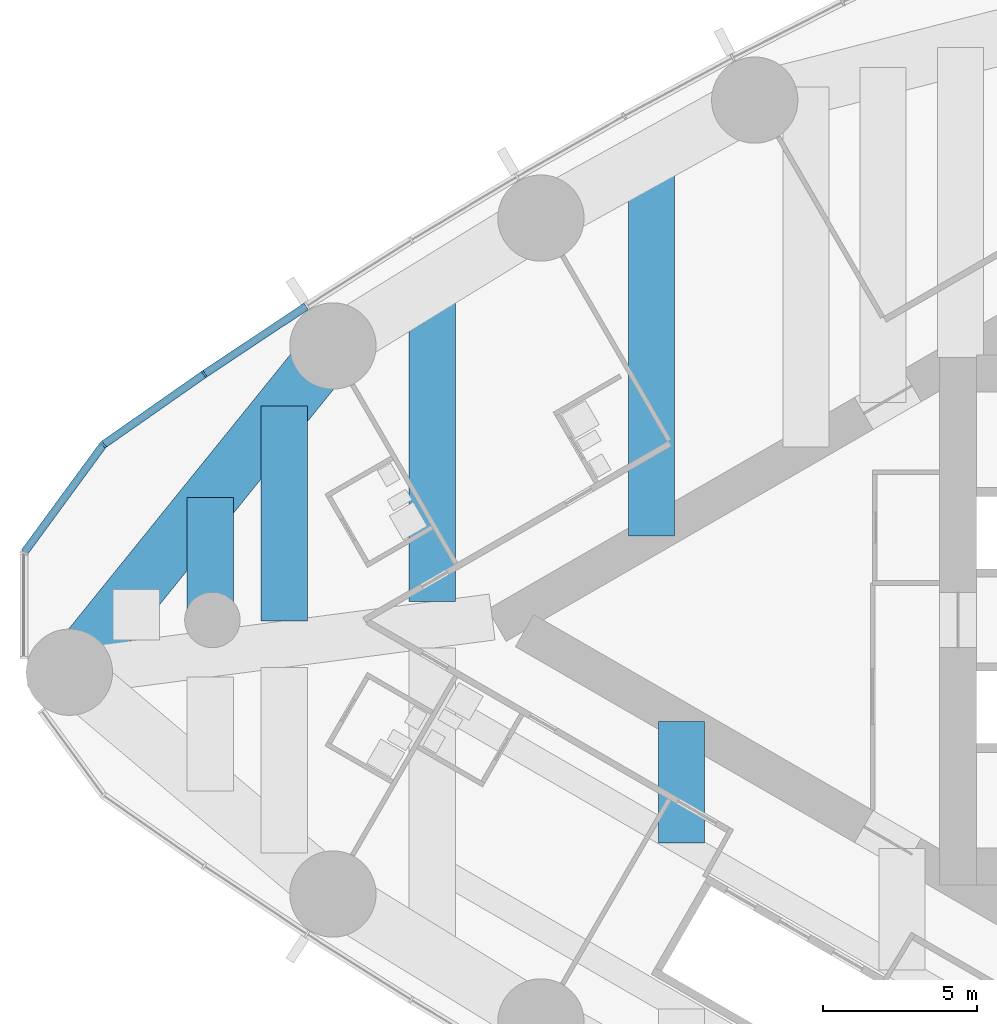
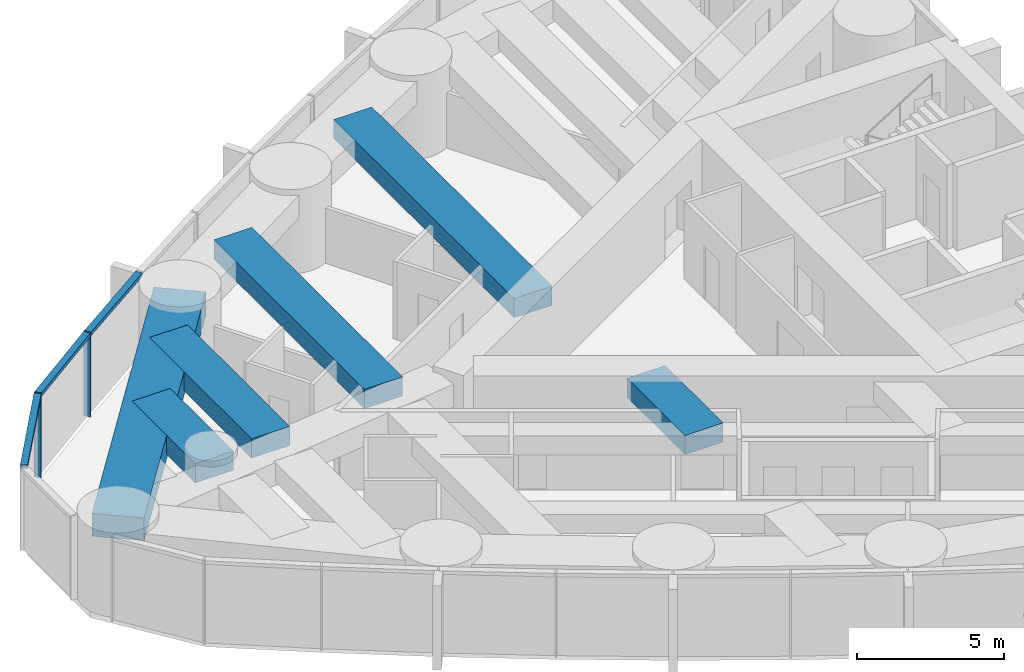
# One storey, part 3 of 19: 6 beams, 5 members, 1 element without a shape of its own.
"""IFC4 building model written with IfcOpenShell, lengths in metres."""

from ifc_helpers import new_model, si_unit, direction, frame, origin, origin_2d, place, context, subcontext, project, spatial, rectangle, extrude, material, material_profile, profile_set, type_object, element, aggregate, save


model = new_model("IFC4")

# Units and contexts
model_context = context("Model", 3, precision=1e-05, world=origin(), true_north=direction((0.0, 1.0)))
body_context = subcontext(model_context, "Body", "Model", "MODEL_VIEW")
ifc_project = project(units=[si_unit("LENGTHUNIT", "METRE"), si_unit("AREAUNIT", "SQUARE_METRE"), si_unit("VOLUMEUNIT", "CUBIC_METRE"), si_unit("PLANEANGLEUNIT", "RADIAN"), si_unit("MASSUNIT", "GRAM", prefix="KILO")], contexts=[model_context])

# Site, building, storey
site_placement = place(None, origin())
site = spatial("IfcSite", under=ifc_project, at=site_placement, CompositionType="ELEMENT")
building_placement = place(site_placement, origin())
building = spatial("IfcBuilding", under=site, at=building_placement, Name="Lancet Gate Hotel", CompositionType="ELEMENT")
storey_placement = place(building_placement, frame((0.0, 0.0, 184.300048828125)))
storey = spatial("IfcBuildingStorey", under=building, at=storey_placement, Name="L49", CompositionType="ELEMENT", Elevation=184.300048828125)

# Curtain wall, members
ifc_material_1 = material(Name="Aluminium curtain wall", Category="aluminium")
curtain_wall_type = type_object("IfcCurtainWallType", Name="Tower unitised curtain wall", PredefinedType="USERDEFINED", material=ifc_material_1)
curtain_wall_placement = place(storey_placement, origin())
curtain_wall = element("IfcCurtainWall", 1, at=curtain_wall_placement, inside=storey, type_object=curtain_wall_type, Name="T1 L49 curtain wall 2", ObjectType="UNITISED CURTAIN WALL", PredefinedType="USERDEFINED")
ifc_material_2 = material(Name="Aluminium mullion", Category="aluminium")
ifc_material_profile_1 = material_profile(ifc_material_2, rectangle(XDim=0.06494140625, YDim=0.25, at=origin_2d()), Name="MULLION 65x250")
ifc_profile_set_1 = profile_set([ifc_material_profile_1], Name="Aluminium mullion")
member_type_1 = type_object("IfcMemberType", Name="Aluminium mullion 65x250", PredefinedType="MULLION", material=ifc_profile_set_1)
member_1_placement = place(storey_placement, frame((-61.7626953125, 7.980712890625, 0.0), z_axis=(0.0, 0.0, 1.0), x_axis=(-0.826312172542, -0.563212387568, 0.0)))
member_1 = element("IfcMember", 2, at=member_1_placement, type_object=member_type_1, Name="T1 L49 curtain wall 2 mullion 10", PredefinedType="MULLION", context=body_context, shape_type="SweptSolid", body=[
    extrude(rectangle(XDim=0.06494140625, YDim=0.25, at=origin_2d()), origin(), (0.0, 0.0, 1.0), 3.5),
])
member_2_placement = place(storey_placement, frame((-65.040283203125, 5.68994140625, 0.0), z_axis=(0.0, 0.0, 1.0), x_axis=(-0.710112861968, -0.704087866155, 0.0)))
member_2 = element("IfcMember", 3, at=member_2_placement, type_object=member_type_1, Name="T1 L49 curtain wall 2 mullion 11", PredefinedType="MULLION", context=body_context, shape_type="SweptSolid", body=[
    extrude(rectangle(XDim=0.06494140625, YDim=0.25, at=origin_2d()), origin(), (0.0, 0.0, 1.0), 3.5),
])
ifc_material_3 = material(Name="Aluminium transom", Category="aluminium")
ifc_material_profile_2 = material_profile(ifc_material_3, rectangle(XDim=0.25, YDim=0.14990234375, at=origin_2d()), Name="TRANSOM 250x150")
ifc_profile_set_2 = profile_set([ifc_material_profile_2], Name="Aluminium transom")
member_type_2 = type_object("IfcMemberType", Name="Aluminium transom 250x150", PredefinedType="USERDEFINED", material=ifc_profile_set_2)
member_3_placement = place(storey_placement, frame((-58.459228515625, 10.176025390625, 3.425048828125), z_axis=(-0.832870509189, -0.553467898729, 0.0), x_axis=(0.553467898729, -0.832870509189, 0.0)))
member_3 = element("IfcMember", 4, at=member_3_placement, type_object=member_type_2, Name="T1 L49 curtain wall 2 transom 9", ObjectType="TRANSOM", PredefinedType="USERDEFINED", context=body_context, shape_type="SweptSolid", body=[
    extrude(rectangle(XDim=0.25, YDim=0.14990234375, at=origin_2d()), origin(), (0.0, 0.0, 1.0), 3.933837890625),
])
member_4_placement = place(storey_placement, frame((-61.789306640625, 7.962158203125, 3.425048828125), z_axis=(-0.819636985462, -0.572883244704, 0.0), x_axis=(0.572883244704, -0.819636985462, 0.0)))
member_4 = element("IfcMember", 5, at=member_4_placement, type_object=member_type_2, Name="T1 L49 curtain wall 2 transom 10", ObjectType="TRANSOM", PredefinedType="USERDEFINED", context=body_context, shape_type="SweptSolid", body=[
    extrude(rectangle(XDim=0.25, YDim=0.14990234375, at=origin_2d()), origin(), (0.0, 0.0, 1.0), 3.933837890625),
])
member_5_placement = place(storey_placement, frame((-65.0595703125, 5.66357421875, 3.425048828125), z_axis=(-0.591324189618, -0.806433941977, 0.0), x_axis=(0.806433941977, -0.591324189618, 0.0)))
member_5 = element("IfcMember", 6, at=member_5_placement, type_object=member_type_2, Name="T1 L49 curtain wall 2 transom 11", ObjectType="TRANSOM", PredefinedType="USERDEFINED", context=body_context, shape_type="SweptSolid", body=[
    extrude(rectangle(XDim=0.25, YDim=0.14990234375, at=origin_2d()), origin(), (0.0, 0.0, 1.0), 4.2900390625),
])
aggregate(curtain_wall, [member_1, member_2, member_3, member_4, member_5])

# Beams
ifc_material_4 = material(Name="Concrete C50/60", Category="concrete")
ifc_material_profile_3 = material_profile(ifc_material_4, rectangle(XDim=1.800048828125, YDim=0.949951171875, at=origin_2d()), Name="RC 1800x950")
ifc_profile_set_3 = profile_set([ifc_material_profile_3], Name="Concrete C50/60")
beam_type_1 = type_object("IfcBeamType", Name="Edge beam RC 1800x950", PredefinedType="SPANDREL", material=ifc_profile_set_3)
beam_1_placement = place(storey_placement, frame((-57.589599609375, 8.89306640625, 2.77490234375), z_axis=(-0.628373846765, -0.777911504416, 0.0), x_axis=(0.777911504416, -0.628373846765, 0.0)))
element("IfcBeam", 7, at=beam_1_placement, inside=storey, type_object=beam_type_1, Name="T1 edge beam EB1 L49", PredefinedType="SPANDREL", context=body_context, shape_type="SweptSolid", body=[
    extrude(rectangle(XDim=1.800048828125, YDim=0.949951171875, at=origin_2d()), origin(), (0.0, 0.0, 1.0), 13.611328125),
])
ifc_material_5 = material(Name="Concrete C50/60", Category="concrete")
ifc_material_profile_4 = material_profile(ifc_material_5, rectangle(XDim=1.5, YDim=0.800048828125, at=origin_2d()), Name="RC 1500x800")
ifc_profile_set_4 = profile_set([ifc_material_profile_4], Name="Concrete C50/60")
beam_type_2 = type_object("IfcBeamType", Name="Floor beam RC 1500x800", PredefinedType="BEAM", material=ifc_profile_set_4)
beam_2_placement = place(storey_placement, frame((-47.254638671875, 15.020751953125, 2.849853515625), z_axis=(0.0, -1.0, 0.0), x_axis=(1.0, 0.0, 0.0)))
element("IfcBeam", 8, at=beam_2_placement, inside=storey, type_object=beam_type_2, Name="T1 floor beam F09S L49", PredefinedType="BEAM", context=body_context, shape_type="SweptSolid", body=[
    extrude(rectangle(XDim=1.5, YDim=0.800048828125, at=origin_2d()), origin(), (0.0, 0.0, 1.0), 12.29931640625),
])
beam_3_placement = place(storey_placement, frame((-54.3681640625, 10.87353515625, 2.849853515625), z_axis=(0.0, -1.0, 0.0), x_axis=(1.0, 0.0, 0.0)))
element("IfcBeam", 9, at=beam_3_placement, inside=storey, type_object=beam_type_2, Name="T1 floor beam F10S L49", PredefinedType="BEAM", context=body_context, shape_type="SweptSolid", body=[
    extrude(rectangle(XDim=1.5, YDim=0.800048828125, at=origin_2d()), origin(), (0.0, 0.0, 1.0), 10.27392578125),
])
beam_4_placement = place(storey_placement, frame((-59.168212890625, 6.938720703125, 2.849853515625), z_axis=(0.0, -1.0, 0.0), x_axis=(1.0, 0.0, 0.0)))
element("IfcBeam", 10, at=beam_4_placement, inside=storey, type_object=beam_type_2, Name="T1 floor beam F12S L49", PredefinedType="BEAM", context=body_context, shape_type="SweptSolid", body=[
    extrude(rectangle(XDim=1.5, YDim=0.800048828125, at=origin_2d()), origin(), (0.0, 0.0, 1.0), 6.96630859375),
])
beam_5_placement = place(storey_placement, frame((-61.568359375, 3.967529296875, 2.849853515625), z_axis=(0.0, -1.0, 0.0), x_axis=(1.0, 0.0, 0.0)))
element("IfcBeam", 11, at=beam_5_placement, inside=storey, type_object=beam_type_2, Name="T1 floor beam F14S L49", PredefinedType="BEAM", context=body_context, shape_type="SweptSolid", body=[
    extrude(rectangle(XDim=1.5, YDim=0.800048828125, at=origin_2d()), origin(), (0.0, 0.0, 1.0), 4.308837890625),
])
beam_6_placement = place(storey_placement, frame((-46.27587890625, -3.28662109375, 2.849853515625), z_axis=(0.0, -1.0, 0.0), x_axis=(1.0, 0.0, 0.0)))
element("IfcBeam", 12, at=beam_6_placement, inside=storey, type_object=beam_type_2, Name="T1 floor beam F08NA L49", PredefinedType="BEAM", context=body_context, shape_type="SweptSolid", body=[
    extrude(rectangle(XDim=1.5, YDim=0.800048828125, at=origin_2d()), origin(), (0.0, 0.0, 1.0), 3.945556640625),
])

save(model, "model.ifc")
